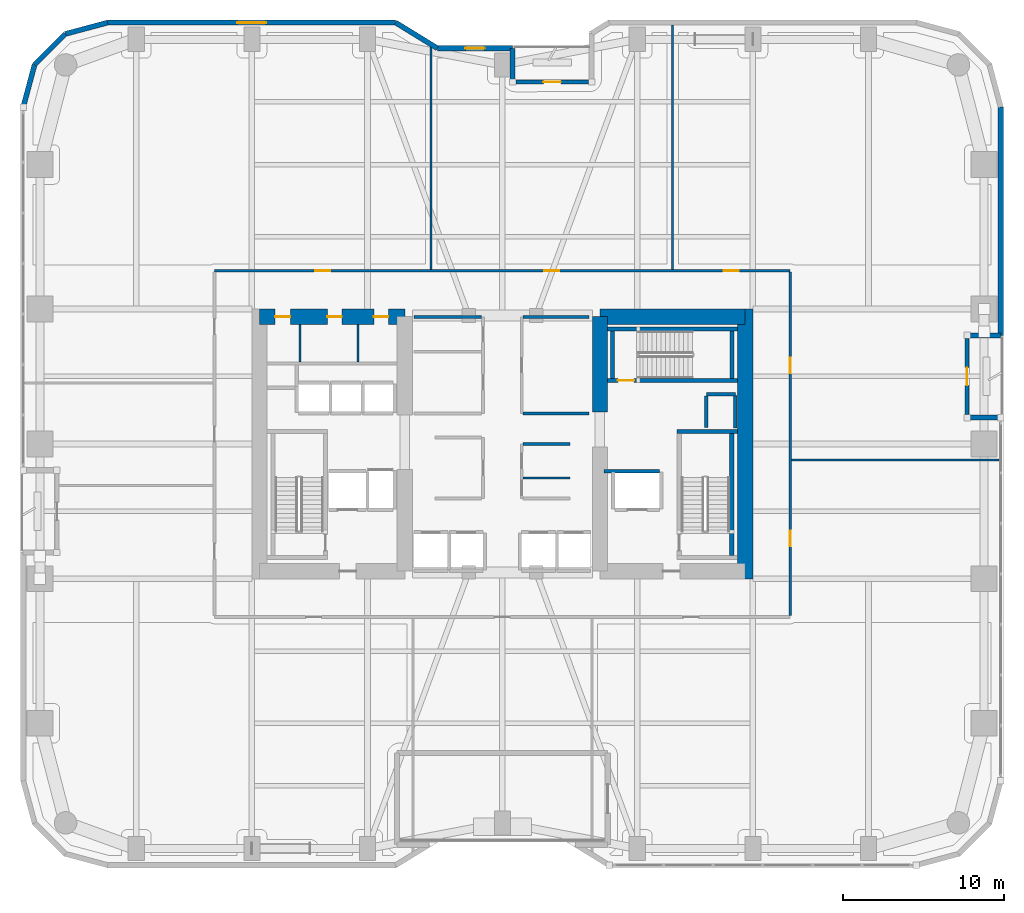
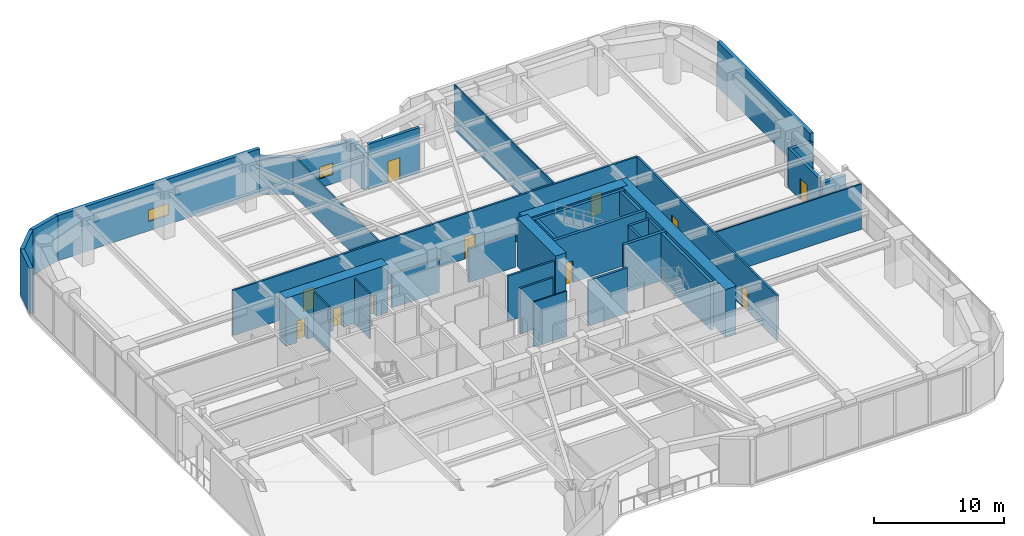
# One storey, part 19 of 25: 38 walls, 11 doors, 2 windows, 13 openings.
"""IFC4 building model written with IfcOpenShell, lengths in metres."""

from ifc_helpers import new_model, si_unit, direction, frame, frame_2d, origin, place, context, subcontext, project, spatial, rectangle, extrude, material, layer, layer_set, type_object, element, fill, save


model = new_model("IFC4")

# Units and contexts
model_context = context("Model", 3, precision=1e-05, world=origin(), true_north=direction((0.0, 1.0)))
body_context = subcontext(model_context, "Body", "Model", "MODEL_VIEW")
ifc_project = project(units=[si_unit("LENGTHUNIT", "METRE"), si_unit("AREAUNIT", "SQUARE_METRE"), si_unit("VOLUMEUNIT", "CUBIC_METRE"), si_unit("PLANEANGLEUNIT", "RADIAN"), si_unit("MASSUNIT", "GRAM", prefix="KILO")], contexts=[model_context])

# Site, building, storey
site_placement = place(None, origin())
site = spatial("IfcSite", under=ifc_project, at=site_placement, CompositionType="ELEMENT")
building_placement = place(site_placement, origin())
building = spatial("IfcBuilding", under=site, at=building_placement, Name="Kiyonajd Concourse Tower", CompositionType="ELEMENT")
storey_placement = place(building_placement, frame((0.0, 0.0, 68.39990234375)))
storey = spatial("IfcBuildingStorey", under=building, at=storey_placement, Name="L18", CompositionType="ELEMENT", Elevation=68.39990234375)

# Wall, openings, doors
ifc_material_1 = material(Name="Concrete C80/95", Category="concrete")
ifc_layer_1 = layer(ifc_material_1, 0.949951171875)
ifc_layer_set_1 = layer_set([ifc_layer_1], Name="Concrete C80/95")
wall_type_1 = type_object("IfcWallType", Name="WL-CORE-950", PredefinedType="SHEAR", material=ifc_layer_set_1)
wall_1_placement = place(storey_placement, frame((32.875, 43.925048828125, 0.0), z_axis=(0.0, 0.0, 1.0), x_axis=(1.0, 0.0, 0.0)))
wall_1 = element("IfcWall", 1, at=wall_1_placement, inside=storey, type_object=wall_type_1, Name="L18 West Core North Shear Wall", PredefinedType="SHEAR", context=body_context, shape_type="SweptSolid", body=[
    extrude(rectangle(XDim=9.050048828125, YDim=0.949951171875, at=frame_2d((4.52490234375, 0.0))), origin(), (0.0, 0.0, 1.0), 4.5),
])
opening_1_placement = place(wall_1_placement, frame((0.97509765625, 0.0, 0.0)))
opening_1 = element("IfcOpeningElement", 2, at=opening_1_placement, cuts=wall_1, Name="Opening DI1", PredefinedType="OPENING", context=body_context, shape_type="SweptSolid", body=[
    extrude(rectangle(XDim=0.949951171875, YDim=2.0400390625, at=frame_2d((0.47509765625, 1.02001953125))), frame((0.0, 0.48486328125, 0.0), z_axis=(0.0, -1.0, 0.0), x_axis=(1.0, 0.0, 0.0)), (0.0, 0.0, 1.0), 0.969970703125),
])
opening_2_placement = place(wall_1_placement, frame((4.22509765625, 0.0, 0.0)))
opening_2 = element("IfcOpeningElement", 3, at=opening_2_placement, cuts=wall_1, Name="Opening DI2", PredefinedType="OPENING", context=body_context, shape_type="SweptSolid", body=[
    extrude(rectangle(XDim=0.89990234375, YDim=2.02001953125, at=frame_2d((0.449951171875, 1.010009765625))), frame((0.0, 0.48486328125, 0.0), z_axis=(0.0, -1.0, 0.0), x_axis=(1.0, 0.0, 0.0)), (0.0, 0.0, 1.0), 0.969970703125),
])
opening_3_placement = place(wall_1_placement, frame((7.125, 0.0, 0.0)))
opening_3 = element("IfcOpeningElement", 4, at=opening_3_placement, cuts=wall_1, Name="Opening DI2", PredefinedType="OPENING", context=body_context, shape_type="SweptSolid", body=[
    extrude(rectangle(XDim=0.89990234375, YDim=2.02001953125, at=frame_2d((0.449951171875, 1.010009765625))), frame((0.0, 0.48486328125, 0.0), z_axis=(0.0, -1.0, 0.0), x_axis=(1.0, 0.0, 0.0)), (0.0, 0.0, 1.0), 0.969970703125),
])
ifc_material_2 = material(Name="Natural Oak Acoustic Timber Veneer", Category="wood")
door_type_1 = type_object("IfcDoorType", Name="DR-INT-900", OperationType="NOTDEFINED", PredefinedType="DOOR", material=ifc_material_2)
door_1_placement = place(opening_2_placement, origin())
door_1 = element("IfcDoor", 5, at=door_1_placement, inside=storey, type_object=door_type_1, Name="L18 Male Restroom Door", OperationType="SINGLE_SWING_RIGHT", OverallHeight=2.02001953125, OverallWidth=0.89990234375, PredefinedType="DOOR", context=body_context, shape_type="SweptSolid", body=[
    extrude(rectangle(XDim=0.89990234375, YDim=2.02001953125, at=frame_2d((0.449951171875, 1.010009765625))), frame((0.0, 0.02490234375, 0.0), z_axis=(0.0, -1.0, 0.0), x_axis=(1.0, 0.0, 0.0)), (0.0, 0.0, 1.0), 0.050048828125),
])
fill(opening_2, door_1)
door_2_placement = place(opening_3_placement, origin())
door_2 = element("IfcDoor", 6, at=door_2_placement, inside=storey, type_object=door_type_1, Name="L18 Female Restroom Door", OperationType="SINGLE_SWING_LEFT", OverallHeight=2.02001953125, OverallWidth=0.89990234375, PredefinedType="DOOR", context=body_context, shape_type="SweptSolid", body=[
    extrude(rectangle(XDim=0.89990234375, YDim=2.02001953125, at=frame_2d((0.449951171875, 1.010009765625))), frame((0.0, 0.02490234375, 0.0), z_axis=(0.0, -1.0, 0.0), x_axis=(1.0, 0.0, 0.0)), (0.0, 0.0, 1.0), 0.050048828125),
])
fill(opening_3, door_2)
door_type_2 = type_object("IfcDoorType", Name="DR-INT-950", OperationType="NOTDEFINED", PredefinedType="DOOR", material=ifc_material_2)
door_3_placement = place(opening_1_placement, origin())
door_3 = element("IfcDoor", 7, at=door_3_placement, inside=storey, type_object=door_type_2, Name="L18 Single User Accessible WC Door", OperationType="SINGLE_SWING_LEFT", OverallHeight=2.0400390625, OverallWidth=0.949951171875, PredefinedType="DOOR", context=body_context, shape_type="SweptSolid", body=[
    extrude(rectangle(XDim=0.949951171875, YDim=2.0400390625, at=frame_2d((0.47509765625, 1.02001953125))), frame((0.0, 0.02490234375, 0.0), z_axis=(0.0, -1.0, 0.0), x_axis=(1.0, 0.0, 0.0)), (0.0, 0.0, 1.0), 0.050048828125),
])
fill(opening_1, door_3)

# Walls
wall_2_placement = place(storey_placement, frame((54.074951171875, 38.0, 0.0), z_axis=(0.0, 0.0, 1.0), x_axis=(0.0, 1.0, 0.0)))
element("IfcWall", 8, at=wall_2_placement, inside=storey, type_object=wall_type_1, Name="L18 East Core Inner North Shear Wall", PredefinedType="SHEAR", context=body_context, shape_type="SweptSolid", body=[
    extrude(rectangle(XDim=5.925048828125, YDim=0.949951171875, at=frame_2d((2.96240234375, 0.0))), origin(), (0.0, 0.0, 1.0), 4.5),
])
wall_3_placement = place(storey_placement, frame((63.125, 27.60009765625, 0.0), z_axis=(0.0, 0.0, 1.0), x_axis=(0.0, 1.0, 0.0)))
element("IfcWall", 9, at=wall_3_placement, inside=storey, type_object=wall_type_1, Name="L18 East Core Outer Shear Wall", PredefinedType="SHEAR", context=body_context, shape_type="SweptSolid", body=[
    extrude(rectangle(XDim=16.7998046875, YDim=0.949951171875, at=frame_2d((8.39990234375, 0.0))), origin(), (0.0, 0.0, 1.0), 4.5),
])
wall_4_placement = place(storey_placement, frame((54.074951171875, 43.925048828125, 0.0), z_axis=(0.0, 0.0, 1.0), x_axis=(1.0, 0.0, 0.0)))
element("IfcWall", 10, at=wall_4_placement, inside=storey, type_object=wall_type_1, Name="L18 East Core North Shear Wall", PredefinedType="SHEAR", context=body_context, shape_type="SweptSolid", body=[
    extrude(rectangle(XDim=9.050048828125, YDim=0.949951171875, at=frame_2d((4.52490234375, 0.0))), origin(), (0.0, 0.0, 1.0), 4.5),
])
ifc_material_3 = material(Name="Precast concrete C50/60", Category="concrete")
ifc_layer_2 = layer(ifc_material_3, 0.320068359375)
ifc_layer_set_2 = layer_set([ifc_layer_2], Name="Precast concrete C50/60")
wall_type_2 = type_object("IfcWallType", Name="WL-EXT-320", PredefinedType="SOLIDWALL", material=ifc_layer_set_2)
wall_5_placement = place(storey_placement, frame((79.0400390625, 56.97900390625, 0.0), z_axis=(0.0, 0.0, 1.0), x_axis=(0.0, -1.0, 0.0)))
element("IfcWall", 11, at=wall_5_placement, inside=storey, type_object=wall_type_2, Name="L18 Exterior Concrete Frame Wall 01", PredefinedType="SOLIDWALL", context=body_context, shape_type="SweptSolid", body=[
    extrude(rectangle(XDim=14.218994140625, YDim=0.320068359375, at=frame_2d((7.109375, 0.0))), origin(), (0.0, 0.0, 1.0), 4.239990234375),
])
for number, where, z_axis, x_axis, name in (
    (12, (79.0400390625, 42.760009765625, 0.0), (0.0, 0.0, 1.0), (-1.0, 0.0, 0.0), "L18 Exterior Concrete Frame Wall 02"),
    (13, (76.93994140625, 37.639892578125, 0.0), (0.0, 0.0, 1.0), (1.0, 0.0, 0.0), "L18 Exterior Concrete Frame Wall 04"),
):
    element("IfcWall", number, at=place(storey_placement, frame(where, z_axis=z_axis, x_axis=x_axis)), inside=storey, type_object=wall_type_2, Name=name, PredefinedType="SOLIDWALL", context=body_context, shape_type="SweptSolid", body=[
        extrude(rectangle(XDim=2.10009765625, YDim=0.320068359375, at=frame_2d((1.050048828125, 0.0))), origin(), (0.0, 0.0, 1.0), 3.47509765625),
    ])
wall_6_placement = place(storey_placement, frame((18.159912109375, 56.97900390625, 0.0), z_axis=(0.0, 0.0, 1.0), x_axis=(0.25869736047, 0.965958423373, 0.0)))
element("IfcWall", 14, at=wall_6_placement, inside=storey, type_object=wall_type_2, Name="L18 Exterior Concrete Frame Wall 26", PredefinedType="SOLIDWALL", context=body_context, shape_type="SweptSolid", body=[
    extrude(rectangle(XDim=2.731201171875, YDim=0.320068359375, at=frame_2d((1.36572265625, 0.0))), origin(), (0.0, 0.0, 1.0), 4.239990234375),
])
wall_7_placement = place(storey_placement, frame((18.866455078125, 59.6171875, 0.0), z_axis=(0.0, 0.0, 1.0), x_axis=(0.707106781187, 0.707106781187, 0.0)))
element("IfcWall", 15, at=wall_7_placement, inside=storey, type_object=wall_type_2, Name="L18 Exterior Concrete Frame Wall 27", PredefinedType="SOLIDWALL", context=body_context, shape_type="SweptSolid", body=[
    extrude(rectangle(XDim=2.7099609375, YDim=0.320068359375, at=frame_2d((1.35498046875, 0.0))), origin(), (0.0, 0.0, 1.0), 4.239990234375),
])
wall_8_placement = place(storey_placement, frame((20.78271484375, 61.533447265625, 0.0), z_axis=(0.0, 0.0, 1.0), x_axis=(0.965964405026, 0.25867502435, 0.0)))
element("IfcWall", 16, at=wall_8_placement, inside=storey, type_object=wall_type_2, Name="L18 Exterior Concrete Frame Wall 28", PredefinedType="SOLIDWALL", context=body_context, shape_type="SweptSolid", body=[
    extrude(rectangle(XDim=2.7314453125, YDim=0.320068359375, at=frame_2d((1.36572265625, 0.0))), origin(), (0.0, 0.0, 1.0), 4.239990234375),
])

# Wall, opening, window
wall_9_placement = place(storey_placement, frame((23.421142578125, 62.239990234375, 0.0), z_axis=(0.0, 0.0, 1.0), x_axis=(1.0, 0.0, 0.0)))
wall_9 = element("IfcWall", 17, at=wall_9_placement, inside=storey, type_object=wall_type_2, Name="L18 Exterior Concrete Frame Wall 29", PredefinedType="SOLIDWALL", context=body_context, shape_type="SweptSolid", body=[
    extrude(rectangle(XDim=17.93359375, YDim=0.320068359375, at=frame_2d((8.966796875, 0.0))), origin(), (0.0, 0.0, 1.0), 4.239990234375),
])
opening_4_placement = place(wall_9_placement, frame((8.06689453125, 0.0, 0.85009765625)))
opening_4 = element("IfcOpeningElement", 18, at=opening_4_placement, cuts=wall_9, Name="Opening WN1", PredefinedType="OPENING", context=body_context, shape_type="SweptSolid", body=[
    extrude(rectangle(XDim=1.800048828125, YDim=1.10009765625, at=frame_2d((0.89990234375, 0.550048828125))), frame((0.0, 0.169921875, 0.0), z_axis=(0.0, -1.0, 0.0), x_axis=(1.0, 0.0, 0.0)), (0.0, 0.0, 1.0), 0.340087890625),
])
ifc_material_4 = material(Name="Double Low-E Insulated Glass", Category="glass")
window_type_1 = type_object("IfcWindowType", Name="WN-VIS-1800x1100", PartitioningType="SINGLE_PANEL", PredefinedType="WINDOW", material=ifc_material_4)
window_1_placement = place(opening_4_placement, origin())
window_1 = element("IfcWindow", 19, at=window_1_placement, inside=storey, type_object=window_type_1, Name="L18 Modular Facade Vision Window 29", OverallHeight=1.10009765625, OverallWidth=1.800048828125, PartitioningType="SINGLE_PANEL", PredefinedType="WINDOW", context=body_context, shape_type="SweptSolid", body=[
    extrude(rectangle(XDim=1.800048828125, YDim=1.10009765625, at=frame_2d((0.89990234375, 0.550048828125))), frame((0.0, 0.030029296875, 0.0), z_axis=(0.0, -1.0, 0.0), x_axis=(1.0, 0.0, 0.0)), (0.0, 0.0, 1.0), 0.06005859375),
])
fill(opening_4, window_1)

# Wall
wall_10_placement = place(storey_placement, frame((41.354736328125, 62.239990234375, 0.0), z_axis=(0.0, 0.0, 1.0), x_axis=(0.851630857047, -0.524142044989, 0.0)))
element("IfcWall", 20, at=wall_10_placement, inside=storey, type_object=wall_type_2, Name="L18 Exterior Concrete Frame Wall 30", PredefinedType="SOLIDWALL", context=body_context, shape_type="SweptSolid", body=[
    extrude(rectangle(XDim=3.052734375, YDim=0.320068359375, at=frame_2d((1.5263671875, 0.0))), origin(), (0.0, 0.0, 1.0), 3.47509765625),
])

# Wall, opening, window
wall_11_placement = place(storey_placement, frame((43.95458984375, 60.639892578125, 0.0), z_axis=(0.0, 0.0, 1.0), x_axis=(1.0, 0.0, 0.0)))
wall_11 = element("IfcWall", 21, at=wall_11_placement, inside=storey, type_object=wall_type_2, Name="L18 Exterior Concrete Frame Wall 31", PredefinedType="SOLIDWALL", context=body_context, shape_type="SweptSolid", body=[
    extrude(rectangle(XDim=4.685302734375, YDim=0.320068359375, at=frame_2d((2.3427734375, 0.0))), origin(), (0.0, 0.0, 1.0), 3.47509765625),
])
opening_5_placement = place(wall_11_placement, frame((1.742919921875, 0.0, 0.85009765625)))
opening_5 = element("IfcOpeningElement", 22, at=opening_5_placement, cuts=wall_11, Name="Opening WN3", PredefinedType="OPENING", context=body_context, shape_type="SweptSolid", body=[
    extrude(rectangle(XDim=1.199951171875, YDim=1.10009765625, at=frame_2d((0.60009765625, 0.550048828125))), frame((0.0, 0.169921875, 0.0), z_axis=(0.0, -1.0, 0.0), x_axis=(1.0, 0.0, 0.0)), (0.0, 0.0, 1.0), 0.340087890625),
])
window_type_2 = type_object("IfcWindowType", Name="WN-VIS-1200x1100", PartitioningType="SINGLE_PANEL", PredefinedType="WINDOW", material=ifc_material_4)
window_2_placement = place(opening_5_placement, origin())
window_2 = element("IfcWindow", 23, at=window_2_placement, inside=storey, type_object=window_type_2, Name="L18 Modular Facade Vision Window 31", OverallHeight=1.10009765625, OverallWidth=1.199951171875, PartitioningType="SINGLE_PANEL", PredefinedType="WINDOW", context=body_context, shape_type="SweptSolid", body=[
    extrude(rectangle(XDim=1.199951171875, YDim=1.10009765625, at=frame_2d((0.60009765625, 0.550048828125))), frame((0.0, 0.030029296875, 0.0), z_axis=(0.0, -1.0, 0.0), x_axis=(1.0, 0.0, 0.0)), (0.0, 0.0, 1.0), 0.06005859375),
])
fill(opening_5, window_2)

# Wall
wall_12_placement = place(storey_placement, frame((48.639892578125, 60.639892578125, 0.0), z_axis=(0.0, 0.0, 1.0), x_axis=(0.0, -1.0, 0.0)))
element("IfcWall", 24, at=wall_12_placement, inside=storey, type_object=wall_type_2, Name="L18 Exterior Concrete Frame Wall 32", PredefinedType="SOLIDWALL", context=body_context, shape_type="SweptSolid", body=[
    extrude(rectangle(XDim=2.099853515625, YDim=0.320068359375, at=frame_2d((1.0498046875, 0.0))), origin(), (0.0, 0.0, 1.0), 3.47509765625),
])

# Wall, opening, door
ifc_layer_3 = layer(ifc_material_3, 0.239990234375)
ifc_layer_set_3 = layer_set([ifc_layer_3], Name="Precast concrete C50/60")
wall_type_3 = type_object("IfcWallType", Name="WL-LOG-240", PredefinedType="SOLIDWALL", material=ifc_layer_set_3)
wall_13_placement = place(storey_placement, frame((76.93994140625, 42.56494140625, 0.0), z_axis=(0.0, 0.0, 1.0), x_axis=(0.0, -1.0, 0.0)))
wall_13 = element("IfcWall", 25, at=wall_13_placement, inside=storey, type_object=wall_type_3, Name="L18 Recessed Loggia Thermal Wall LOG-E", PredefinedType="SOLIDWALL", context=body_context, shape_type="SweptSolid", body=[
    extrude(rectangle(XDim=4.72998046875, YDim=0.239990234375, at=frame_2d((2.364990234375, 0.0))), origin(), (0.0, 0.0, 1.0), 3.76220703125),
])
opening_6_placement = place(wall_13_placement, frame((1.81494140625, 0.0, 0.0)))
opening_6 = element("IfcOpeningElement", 26, at=opening_6_placement, cuts=wall_13, Name="Opening DL2", PredefinedType="OPENING", context=body_context, shape_type="SweptSolid", body=[
    extrude(rectangle(XDim=1.10009765625, YDim=2.0400390625, at=frame_2d((0.550048828125, 1.02001953125))), frame((0.0, 0.1298828125, 0.0), z_axis=(0.0, -1.0, 0.0), x_axis=(1.0, 0.0, 0.0)), (0.0, 0.0, 1.0), 0.260009765625),
])
ifc_material_5 = material(Name="Thermally Broken Anodised Aluminium", Category="aluminium")
door_type_3 = type_object("IfcDoorType", Name="DR-LOG-1100", OperationType="NOTDEFINED", PredefinedType="DOOR", material=ifc_material_5)
door_4_placement = place(opening_6_placement, origin())
door_4 = element("IfcDoor", 27, at=door_4_placement, inside=storey, type_object=door_type_3, Name="L18 Engawa Loggia Access Door LOG-E", OperationType="SINGLE_SWING_LEFT", OverallHeight=2.0400390625, OverallWidth=1.10009765625, PredefinedType="DOOR", context=body_context, shape_type="SweptSolid", body=[
    extrude(rectangle(XDim=1.10009765625, YDim=2.0400390625, at=frame_2d((0.550048828125, 1.02001953125))), frame((0.0, 0.02490234375, 0.0), z_axis=(0.0, -1.0, 0.0), x_axis=(1.0, 0.0, 0.0)), (0.0, 0.0, 1.0), 0.050048828125),
])
fill(opening_6, door_4)

wall_14_placement = place(storey_placement, frame((48.8349609375, 58.5400390625, 0.0), z_axis=(0.0, 0.0, 1.0), x_axis=(1.0, 0.0, 0.0)))
wall_14 = element("IfcWall", 28, at=wall_14_placement, inside=storey, type_object=wall_type_3, Name="L18 Recessed Loggia Thermal Wall LOG-N", PredefinedType="SOLIDWALL", context=body_context, shape_type="SweptSolid", body=[
    extrude(rectangle(XDim=4.530029296875, YDim=0.239990234375, at=frame_2d((2.26513671875, 0.0))), origin(), (0.0, 0.0, 1.0), 4.239990234375),
])
opening_7_placement = place(wall_14_placement, frame((1.715087890625, 0.0, 0.0)))
opening_7 = element("IfcOpeningElement", 29, at=opening_7_placement, cuts=wall_14, Name="Opening DL2", PredefinedType="OPENING", context=body_context, shape_type="SweptSolid", body=[
    extrude(rectangle(XDim=1.10009765625, YDim=2.0400390625, at=frame_2d((0.550048828125, 1.02001953125))), frame((0.0, 0.1298828125, 0.0), z_axis=(0.0, -1.0, 0.0), x_axis=(1.0, 0.0, 0.0)), (0.0, 0.0, 1.0), 0.260009765625),
])
door_5_placement = place(opening_7_placement, origin())
door_5 = element("IfcDoor", 30, at=door_5_placement, inside=storey, type_object=door_type_3, Name="L18 Engawa Loggia Access Door LOG-N", OperationType="SINGLE_SWING_LEFT", OverallHeight=2.0400390625, OverallWidth=1.10009765625, PredefinedType="DOOR", context=body_context, shape_type="SweptSolid", body=[
    extrude(rectangle(XDim=1.10009765625, YDim=2.0400390625, at=frame_2d((0.550048828125, 1.02001953125))), frame((0.0, 0.02490234375, 0.0), z_axis=(0.0, -1.0, 0.0), x_axis=(1.0, 0.0, 0.0)), (0.0, 0.0, 1.0), 0.050048828125),
])
fill(opening_7, door_5)

# Walls
ifc_material_6 = material(Name="Gypsum Board on Cold-Formed Steel Stud", Category="steel")
ifc_layer_4 = layer(ifc_material_6, 0.125)
ifc_layer_set_4 = layer_set([ifc_layer_4], Name="Gypsum Board on Cold-Formed Steel Stud")
wall_type_4 = type_object("IfcWallType", Name="WL-PART-125", PredefinedType="PARTITIONING", material=ifc_layer_set_4)
for number, where, z_axis, x_axis, name in (
    (31, (35.39990234375, 41.094970703125, 0.0), (0.0, 0.0, 1.0), (0.0, 1.0, 0.0), "L18 Interior Partition Wall"),
    (32, (39.0, 41.094970703125, 0.0), (0.0, 0.0, 1.0), (0.0, 1.0, 0.0), "L18 Interior Partition Wall"),
):
    element("IfcWall", number, at=place(storey_placement, frame(where, z_axis=z_axis, x_axis=x_axis)), inside=storey, type_object=wall_type_4, Name=name, PredefinedType="PARTITIONING", context=body_context, shape_type="SweptSolid", body=[
        extrude(rectangle(XDim=2.35498046875, YDim=0.125, at=frame_2d((1.177490234375, 0.0))), origin(), (0.0, 0.0, 1.0), 4.239990234375),
    ])
wall_15_placement = place(storey_placement, frame((49.287109375, 33.89208984375, 0.0), z_axis=(0.0, 0.0, 1.0), x_axis=(1.0, 0.0, 0.0)))
element("IfcWall", 33, at=wall_15_placement, inside=storey, type_object=wall_type_4, Name="L18 Interior Partition Wall", PredefinedType="PARTITIONING", context=body_context, shape_type="SweptSolid", body=[
    extrude(rectangle(XDim=2.912841796875, YDim=0.125, at=frame_2d((1.45654296875, 0.0))), origin(), (0.0, 0.0, 1.0), 4.239990234375),
])
wall_16_placement = place(storey_placement, frame((43.550048828125, 46.866943359375, 0.0), z_axis=(0.0, 0.0, 1.0), x_axis=(0.0, 1.0, 0.0)))
element("IfcWall", 34, at=wall_16_placement, inside=storey, type_object=wall_type_4, Name="L18 Interior Partition Wall", PredefinedType="PARTITIONING", context=body_context, shape_type="SweptSolid", body=[
    extrude(rectangle(XDim=13.866943359375, YDim=0.125, at=frame_2d((6.93359375, 0.0))), origin(), (0.0, 0.0, 1.0), 3.60302734375),
])
wall_17_placement = place(storey_placement, frame((58.590087890625, 46.866943359375, 0.0), z_axis=(0.0, 0.0, 1.0), x_axis=(0.0, 1.0, 0.0)))
element("IfcWall", 35, at=wall_17_placement, inside=storey, type_object=wall_type_4, Name="L18 Interior Partition Wall", PredefinedType="PARTITIONING", context=body_context, shape_type="SweptSolid", body=[
    extrude(rectangle(XDim=15.218017578125, YDim=0.125, at=frame_2d((7.60888671875, 0.0))), origin(), (0.0, 0.0, 1.0), 4.239990234375),
])
wall_18_placement = place(storey_placement, frame((66.011962890625, 35.0, 0.0), z_axis=(0.0, 0.0, 1.0), x_axis=(1.0, 0.0, 0.0)))
element("IfcWall", 36, at=wall_18_placement, inside=storey, type_object=wall_type_4, Name="L18 Interior Partition Wall", PredefinedType="PARTITIONING", context=body_context, shape_type="SweptSolid", body=[
    extrude(rectangle(XDim=12.923095703125, YDim=0.125, at=frame_2d((6.46142578125, 0.0))), origin(), (0.0, 0.0, 1.0), 4.239990234375),
])
ifc_layer_5 = layer(ifc_material_6, 0.2099609375)
ifc_layer_set_5 = layer_set([ifc_layer_5], Name="Gypsum Board on Cold-Formed Steel Stud")
wall_type_5 = type_object("IfcWallType", Name="WL-SHAFT-210", PredefinedType="PARTITIONING", material=ifc_layer_set_5)
wall_19_placement = place(storey_placement, frame((60.719970703125, 39.10009765625, 0.0), z_axis=(0.0, 0.0, 1.0), x_axis=(1.0, 0.0, 0.0)))
element("IfcWall", 37, at=wall_19_placement, inside=storey, type_object=wall_type_5, Name="L18 Shaft Enclosure Wall", PredefinedType="PARTITIONING", context=body_context, shape_type="SweptSolid", body=[
    extrude(rectangle(XDim=1.800048828125, YDim=0.2099609375, at=frame_2d((0.89990234375, 0.0))), origin(), (0.0, 0.0, 1.0), 4.239990234375),
])
wall_20_placement = place(storey_placement, frame((60.699951171875, 37.02001953125, 0.0), z_axis=(0.0, 0.0, 1.0), x_axis=(0.0, 1.0, 0.0)))
element("IfcWall", 38, at=wall_20_placement, inside=storey, type_object=wall_type_5, Name="L18 Shaft Enclosure Wall", PredefinedType="PARTITIONING", context=body_context, shape_type="SweptSolid", body=[
    extrude(rectangle(XDim=1.9599609375, YDim=0.2099609375, at=frame_2d((0.97998046875, 0.0))), origin(), (0.0, 0.0, 1.0), 4.239990234375),
])
wall_21_placement = place(storey_placement, frame((62.5, 36.97998046875, 0.0), z_axis=(0.0, 0.0, 1.0), x_axis=(0.0, 1.0, 0.0)))
element("IfcWall", 39, at=wall_21_placement, inside=storey, type_object=wall_type_5, Name="L18 Shaft Enclosure Wall", PredefinedType="PARTITIONING", context=body_context, shape_type="SweptSolid", body=[
    extrude(rectangle(XDim=2.0400390625, YDim=0.2099609375, at=frame_2d((1.02001953125, 0.0))), origin(), (0.0, 0.0, 1.0), 4.239990234375),
])
wall_22_placement = place(storey_placement, frame((54.320068359375, 34.300048828125, 0.0), z_axis=(0.0, 0.0, 1.0), x_axis=(1.0, 0.0, 0.0)))
element("IfcWall", 40, at=wall_22_placement, inside=storey, type_object=wall_type_5, Name="L18 Shaft Enclosure Wall", PredefinedType="PARTITIONING", context=body_context, shape_type="SweptSolid", body=[
    extrude(rectangle(XDim=3.47998046875, YDim=0.2099609375, at=frame_2d((1.739990234375, 0.0))), origin(), (0.0, 0.0, 1.0), 4.239990234375),
])
ifc_layer_6 = layer(ifc_material_6, 0.169921875)
ifc_layer_set_6 = layer_set([ifc_layer_6], Name="Gypsum Board on Cold-Formed Steel Stud")
wall_type_6 = type_object("IfcWallType", Name="WL-SMK-170", PredefinedType="PARTITIONING", material=ifc_layer_set_6)
wall_23_placement = place(storey_placement, frame((49.287109375, 36.0, 0.0), z_axis=(0.0, 0.0, 1.0), x_axis=(1.0, 0.0, 0.0)))
element("IfcWall", 41, at=wall_23_placement, inside=storey, type_object=wall_type_6, Name="L18 Interior Partition Wall", PredefinedType="PARTITIONING", context=body_context, shape_type="SweptSolid", body=[
    extrude(rectangle(XDim=2.912841796875, YDim=0.169921875, at=frame_2d((1.45654296875, 0.0))), origin(), (0.0, 0.0, 1.0), 4.239990234375),
])
wall_24_placement = place(storey_placement, frame((42.5, 43.89990234375, 0.0), z_axis=(0.0, 0.0, 1.0), x_axis=(1.0, 0.0, 0.0)))
element("IfcWall", 42, at=wall_24_placement, inside=storey, type_object=wall_type_6, Name="L18 Interior Partition Wall", PredefinedType="PARTITIONING", context=body_context, shape_type="SweptSolid", body=[
    extrude(rectangle(XDim=4.212890625, YDim=0.169921875, at=frame_2d((2.1064453125, 0.0))), origin(), (0.0, 0.0, 1.0), 3.125),
])
wall_25_placement = place(storey_placement, frame((49.287109375, 37.89990234375, 0.0), z_axis=(0.0, 0.0, 1.0), x_axis=(1.0, 0.0, 0.0)))
element("IfcWall", 43, at=wall_25_placement, inside=storey, type_object=wall_type_6, Name="L18 Interior Partition Wall", PredefinedType="PARTITIONING", context=body_context, shape_type="SweptSolid", body=[
    extrude(rectangle(XDim=4.11279296875, YDim=0.169921875, at=frame_2d((2.056396484375, 0.0))), origin(), (0.0, 0.0, 1.0), 4.239990234375),
])
wall_26_placement = place(storey_placement, frame((49.287109375, 43.89990234375, 0.0), z_axis=(0.0, 0.0, 1.0), x_axis=(1.0, 0.0, 0.0)))
element("IfcWall", 44, at=wall_26_placement, inside=storey, type_object=wall_type_6, Name="L18 Interior Partition Wall", PredefinedType="PARTITIONING", context=body_context, shape_type="SweptSolid", body=[
    extrude(rectangle(XDim=4.11279296875, YDim=0.169921875, at=frame_2d((2.056396484375, 0.0))), origin(), (0.0, 0.0, 1.0), 3.125),
])

# Wall, openings, doors
wall_27_placement = place(storey_placement, frame((30.074951171875, 46.780029296875, 0.0), z_axis=(0.0, 0.0, 1.0), x_axis=(1.0, 0.0, 0.0)))
wall_27 = element("IfcWall", 45, at=wall_27_placement, inside=storey, type_object=wall_type_6, Name="L18 Interior Partition Wall", PredefinedType="PARTITIONING", context=body_context, shape_type="SweptSolid", body=[
    extrude(rectangle(XDim=35.85009765625, YDim=0.169921875, at=frame_2d((17.925048828125, 0.0))), origin(), (0.0, 0.0, 1.0), 4.239990234375),
])
opening_8_placement = place(wall_27_placement, frame((6.262939453125, 0.0, 0.0)))
opening_8 = element("IfcOpeningElement", 46, at=opening_8_placement, cuts=wall_27, Name="Opening DI1", PredefinedType="OPENING", context=body_context, shape_type="SweptSolid", body=[
    extrude(rectangle(XDim=0.949951171875, YDim=2.0400390625, at=frame_2d((0.47509765625, 1.02001953125))), frame((0.0, 0.094970703125, 0.0), z_axis=(0.0, -1.0, 0.0), x_axis=(1.0, 0.0, 0.0)), (0.0, 0.0, 1.0), 0.18994140625),
])
opening_9_placement = place(wall_27_placement, frame((20.52001953125, 0.0, 0.0)))
opening_9 = element("IfcOpeningElement", 47, at=opening_9_placement, cuts=wall_27, Name="Opening DI1", PredefinedType="OPENING", context=body_context, shape_type="SweptSolid", body=[
    extrude(rectangle(XDim=0.949951171875, YDim=2.0400390625, at=frame_2d((0.47509765625, 1.02001953125))), frame((0.0, 0.094970703125, 0.0), z_axis=(0.0, -1.0, 0.0), x_axis=(1.0, 0.0, 0.0)), (0.0, 0.0, 1.0), 0.18994140625),
])
opening_10_placement = place(wall_27_placement, frame((31.7080078125, 0.0, 0.0)))
opening_10 = element("IfcOpeningElement", 48, at=opening_10_placement, cuts=wall_27, Name="Opening DI1", PredefinedType="OPENING", context=body_context, shape_type="SweptSolid", body=[
    extrude(rectangle(XDim=0.949951171875, YDim=2.0400390625, at=frame_2d((0.47509765625, 1.02001953125))), frame((0.0, 0.094970703125, 0.0), z_axis=(0.0, -1.0, 0.0), x_axis=(1.0, 0.0, 0.0)), (0.0, 0.0, 1.0), 0.18994140625),
])
door_6_placement = place(opening_8_placement, origin())
door_6 = element("IfcDoor", 49, at=door_6_placement, inside=storey, type_object=door_type_2, Name="L18 Interior Door", OperationType="SINGLE_SWING_RIGHT", OverallHeight=2.0400390625, OverallWidth=0.949951171875, PredefinedType="DOOR", context=body_context, shape_type="SweptSolid", body=[
    extrude(rectangle(XDim=0.949951171875, YDim=2.0400390625, at=frame_2d((0.47509765625, 1.02001953125))), frame((0.0, 0.02490234375, 0.0), z_axis=(0.0, -1.0, 0.0), x_axis=(1.0, 0.0, 0.0)), (0.0, 0.0, 1.0), 0.050048828125),
])
fill(opening_8, door_6)
door_7_placement = place(opening_9_placement, origin())
door_7 = element("IfcDoor", 50, at=door_7_placement, inside=storey, type_object=door_type_2, Name="L18 Interior Door", OperationType="SINGLE_SWING_LEFT", OverallHeight=2.0400390625, OverallWidth=0.949951171875, PredefinedType="DOOR", context=body_context, shape_type="SweptSolid", body=[
    extrude(rectangle(XDim=0.949951171875, YDim=2.0400390625, at=frame_2d((0.47509765625, 1.02001953125))), frame((0.0, 0.02490234375, 0.0), z_axis=(0.0, -1.0, 0.0), x_axis=(1.0, 0.0, 0.0)), (0.0, 0.0, 1.0), 0.050048828125),
])
fill(opening_9, door_7)
door_8_placement = place(opening_10_placement, origin())
door_8 = element("IfcDoor", 51, at=door_8_placement, inside=storey, type_object=door_type_2, Name="L18 Interior Door", OperationType="SINGLE_SWING_RIGHT", OverallHeight=2.0400390625, OverallWidth=0.949951171875, PredefinedType="DOOR", context=body_context, shape_type="SweptSolid", body=[
    extrude(rectangle(XDim=0.949951171875, YDim=2.0400390625, at=frame_2d((0.47509765625, 1.02001953125))), frame((0.0, 0.02490234375, 0.0), z_axis=(0.0, -1.0, 0.0), x_axis=(1.0, 0.0, 0.0)), (0.0, 0.0, 1.0), 0.050048828125),
])
fill(opening_10, door_8)

wall_28_placement = place(storey_placement, frame((65.925048828125, 25.306884765625, 0.0), z_axis=(0.0, 0.0, 1.0), x_axis=(0.0, 1.0, 0.0)))
wall_28 = element("IfcWall", 52, at=wall_28_placement, inside=storey, type_object=wall_type_6, Name="L18 Interior Partition Wall", PredefinedType="PARTITIONING", context=body_context, shape_type="SweptSolid", body=[
    extrude(rectangle(XDim=21.38623046875, YDim=0.169921875, at=frame_2d((10.693115234375, 0.0))), origin(), (0.0, 0.0, 1.0), 4.239990234375),
])
opening_11_placement = place(wall_28_placement, frame((4.327880859375, 0.0, 0.0)))
opening_11 = element("IfcOpeningElement", 53, at=opening_11_placement, cuts=wall_28, Name="Opening DI1", PredefinedType="OPENING", context=body_context, shape_type="SweptSolid", body=[
    extrude(rectangle(XDim=0.949951171875, YDim=2.0400390625, at=frame_2d((0.47509765625, 1.02001953125))), frame((0.0, 0.094970703125, 0.0), z_axis=(0.0, -1.0, 0.0), x_axis=(1.0, 0.0, 0.0)), (0.0, 0.0, 1.0), 0.18994140625),
])
opening_12_placement = place(wall_28_placement, frame((15.10791015625, 0.0, 0.0)))
opening_12 = element("IfcOpeningElement", 54, at=opening_12_placement, cuts=wall_28, Name="Opening DI1", PredefinedType="OPENING", context=body_context, shape_type="SweptSolid", body=[
    extrude(rectangle(XDim=0.949951171875, YDim=2.0400390625, at=frame_2d((0.47509765625, 1.02001953125))), frame((0.0, 0.094970703125, 0.0), z_axis=(0.0, -1.0, 0.0), x_axis=(1.0, 0.0, 0.0)), (0.0, 0.0, 1.0), 0.18994140625),
])
door_9_placement = place(opening_11_placement, origin())
door_9 = element("IfcDoor", 55, at=door_9_placement, inside=storey, type_object=door_type_2, Name="L18 Interior Door", OperationType="SINGLE_SWING_RIGHT", OverallHeight=2.0400390625, OverallWidth=0.949951171875, PredefinedType="DOOR", context=body_context, shape_type="SweptSolid", body=[
    extrude(rectangle(XDim=0.949951171875, YDim=2.0400390625, at=frame_2d((0.47509765625, 1.02001953125))), frame((0.0, 0.02490234375, 0.0), z_axis=(0.0, -1.0, 0.0), x_axis=(1.0, 0.0, 0.0)), (0.0, 0.0, 1.0), 0.050048828125),
])
fill(opening_11, door_9)
door_10_placement = place(opening_12_placement, origin())
door_10 = element("IfcDoor", 56, at=door_10_placement, inside=storey, type_object=door_type_2, Name="L18 Interior Door", OperationType="SINGLE_SWING_LEFT", OverallHeight=2.0400390625, OverallWidth=0.949951171875, PredefinedType="DOOR", context=body_context, shape_type="SweptSolid", body=[
    extrude(rectangle(XDim=0.949951171875, YDim=2.0400390625, at=frame_2d((0.47509765625, 1.02001953125))), frame((0.0, 0.02490234375, 0.0), z_axis=(0.0, -1.0, 0.0), x_axis=(1.0, 0.0, 0.0)), (0.0, 0.0, 1.0), 0.050048828125),
])
fill(opening_12, door_10)

# Walls
ifc_material_7 = material(Name="Concrete C50/60", Category="concrete")
ifc_layer_7 = layer(ifc_material_7, 0.260009765625)
ifc_layer_set_7 = layer_set([ifc_layer_7], Name="Concrete C50/60")
wall_type_7 = type_object("IfcWallType", Name="WL-STAIR-260", PredefinedType="SHEAR", material=ifc_layer_set_7)
wall_29_placement = place(storey_placement, frame((58.889892578125, 36.780029296875, 0.0), z_axis=(0.0, 0.0, 1.0), x_axis=(1.0, 0.0, 0.0)))
element("IfcWall", 57, at=wall_29_placement, inside=storey, type_object=wall_type_7, Name="L18 Stair ST2 Structural North Wall", PredefinedType="SHEAR", context=body_context, shape_type="SweptSolid", body=[
    extrude(rectangle(XDim=3.760009765625, YDim=0.260009765625, at=frame_2d((1.8798828125, 0.0))), origin(), (0.0, 0.0, 1.0), 4.5),
])
wall_30_placement = place(storey_placement, frame((62.280029296875, 29.050048828125, 0.0), z_axis=(0.0, 0.0, 1.0), x_axis=(0.0, 1.0, 0.0)))
element("IfcWall", 58, at=wall_30_placement, inside=storey, type_object=wall_type_7, Name="L18 Stair ST2 Structural East Wall", PredefinedType="SHEAR", context=body_context, shape_type="SweptSolid", body=[
    extrude(rectangle(XDim=7.599853515625, YDim=0.260009765625, at=frame_2d((3.7998046875, 0.0))), origin(), (0.0, 0.0, 1.0), 4.5),
])

# Wall, opening, door
wall_31_placement = place(storey_placement, frame((54.550048828125, 39.949951171875, 0.0), z_axis=(0.0, 0.0, 1.0), x_axis=(1.0, 0.0, 0.0)))
wall_31 = element("IfcWall", 59, at=wall_31_placement, inside=storey, type_object=wall_type_7, Name="L18 Stair ST3 Structural South Wall", PredefinedType="SHEAR", context=body_context, shape_type="SweptSolid", body=[
    extrude(rectangle(XDim=8.099853515625, YDim=0.260009765625, at=frame_2d((4.0498046875, 0.0))), origin(), (0.0, 0.0, 1.0), 4.5),
])
opening_13_placement = place(wall_31_placement, frame((0.64990234375, 0.0, 0.0)))
opening_13 = element("IfcOpeningElement", 60, at=opening_13_placement, cuts=wall_31, Name="Opening DF1", PredefinedType="OPENING", context=body_context, shape_type="SweptSolid", body=[
    extrude(rectangle(XDim=1.0, YDim=2.0400390625, at=frame_2d((0.5, 1.02001953125))), frame((0.0, 0.139892578125, 0.0), z_axis=(0.0, -1.0, 0.0), x_axis=(1.0, 0.0, 0.0)), (0.0, 0.0, 1.0), 0.280029296875),
])
ifc_material_8 = material(Name="Brushed Stainless Steel Cab Assembly", Category="steel")
door_type_4 = type_object("IfcDoorType", Name="DR-FD90-1000", OperationType="NOTDEFINED", PredefinedType="DOOR", material=ifc_material_8)
door_11_placement = place(opening_13_placement, origin())
door_11 = element("IfcDoor", 61, at=door_11_placement, inside=storey, type_object=door_type_4, Name="L18 Stair ST3 Enclosure Door", OperationType="SINGLE_SWING_LEFT", OverallHeight=2.0400390625, OverallWidth=1.0, PredefinedType="DOOR", context=body_context, shape_type="SweptSolid", body=[
    extrude(rectangle(XDim=1.0, YDim=2.0400390625, at=frame_2d((0.5, 1.02001953125))), frame((0.0, 0.02490234375, 0.0), z_axis=(0.0, -1.0, 0.0), x_axis=(1.0, 0.0, 0.0)), (0.0, 0.0, 1.0), 0.050048828125),
])
fill(opening_13, door_11)

# Walls
wall_32_placement = place(storey_placement, frame((54.550048828125, 43.14990234375, 0.0), z_axis=(0.0, 0.0, 1.0), x_axis=(1.0, 0.0, 0.0)))
element("IfcWall", 62, at=wall_32_placement, inside=storey, type_object=wall_type_7, Name="L18 Stair ST3 Structural North Wall", PredefinedType="SHEAR", context=body_context, shape_type="SweptSolid", body=[
    extrude(rectangle(XDim=8.099853515625, YDim=0.260009765625, at=frame_2d((4.0498046875, 0.0))), origin(), (0.0, 0.0, 1.0), 4.5),
])
for number, where, z_axis, x_axis, name in (
    (63, (54.85009765625, 40.080078125, 0.0), (0.0, 0.0, 1.0), (0.0, 1.0, 0.0), "L18 Stair ST3 Structural West Wall"),
    (64, (62.31005859375, 40.080078125, 0.0), (0.0, 0.0, 1.0), (0.0, 1.0, 0.0), "L18 Stair ST3 Structural East Wall"),
):
    element("IfcWall", number, at=place(storey_placement, frame(where, z_axis=z_axis, x_axis=x_axis)), inside=storey, type_object=wall_type_7, Name=name, PredefinedType="SHEAR", context=body_context, shape_type="SweptSolid", body=[
        extrude(rectangle(XDim=2.93994140625, YDim=0.260009765625, at=frame_2d((1.469970703125, 0.0))), origin(), (0.0, 0.0, 1.0), 4.5),
    ])

save(model, "model.ifc")
